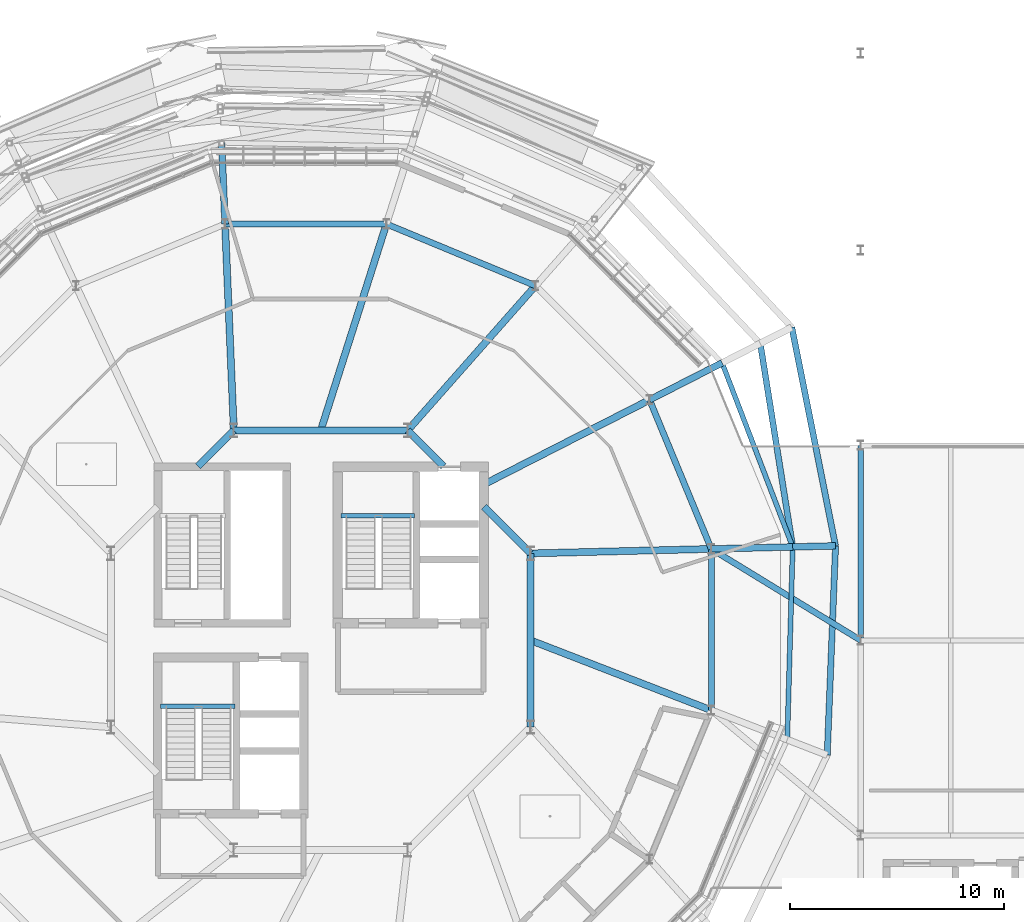
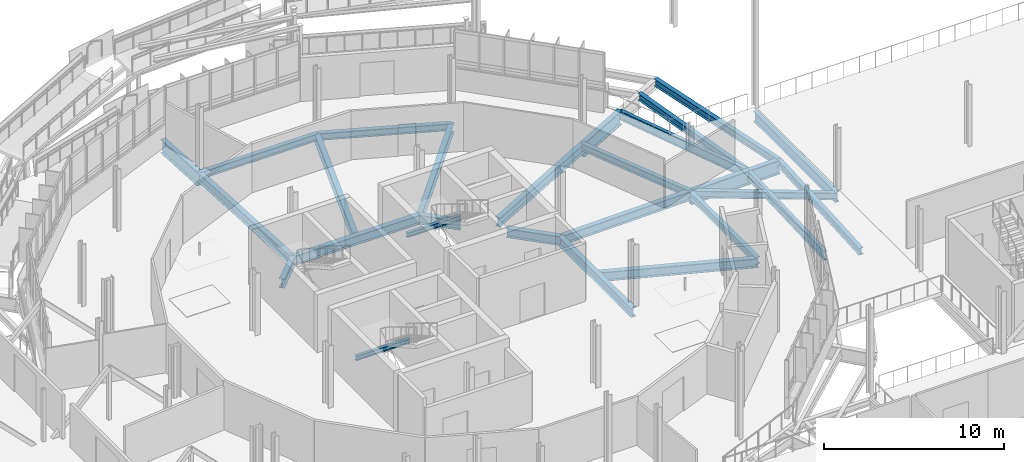
# One storey, part 47 of 107: 28 beams.
"""IFC4 building model written with IfcOpenShell, lengths in metres."""

from ifc_helpers import new_model, si_unit, derived_unit, direction, frame, origin, origin_2d, place, context, subcontext, project, spatial, i_section, extrude, material, material_profile, profile_set, type_object, element, save


model = new_model("IFC4")

# Units and contexts
model_context = context("Model", 3, precision=1e-05, world=origin(), true_north=direction((0.0, 1.0)))
body_context = subcontext(model_context, "Body", "Model", "MODEL_VIEW")
ifc_project = project(units=[si_unit("LENGTHUNIT", "METRE"), si_unit("AREAUNIT", "SQUARE_METRE"), si_unit("VOLUMEUNIT", "CUBIC_METRE"), si_unit("PLANEANGLEUNIT", "RADIAN"), si_unit("MASSUNIT", "GRAM", prefix="KILO"), derived_unit("THERMALTRANSMITTANCEUNIT", [(si_unit("MASSUNIT", "GRAM", prefix="KILO"), 1), (si_unit("TIMEUNIT", "SECOND"), -3), (si_unit("THERMODYNAMICTEMPERATUREUNIT", "KELVIN"), -1)])], contexts=[model_context])

# Site, building, storey
site_placement = place(None, origin())
site = spatial("IfcSite", under=ifc_project, at=site_placement, CompositionType="ELEMENT")
building_placement = place(site_placement, origin())
building = spatial("IfcBuilding", under=site, at=building_placement, Name="Makaiwela Harbour Ferry Terminal", CompositionType="ELEMENT")
storey_placement = place(building_placement, frame((0.0, 0.0, 9.60009765625)))
storey = spatial("IfcBuildingStorey", under=building, at=storey_placement, Name="L02", CompositionType="ELEMENT", Elevation=9.60009765625)

# Beams
ifc_material = material(Name="Steel ASTM A992 Grade 50", Category="steel")
ifc_material_profile_1 = material_profile(ifc_material, i_section(OverallWidth=0.280029296875, OverallDepth=0.462890625, WebThickness=0.0107421875, FlangeThickness=0.017333984375, at=origin_2d()), Name="W18X76")
ifc_profile_set_1 = profile_set([ifc_material_profile_1], Name="Steel ASTM A992 Grade 50")
beam_type_1 = type_object("IfcBeamType", Name="STR-BM-W18X76", PredefinedType="BEAM", material=ifc_profile_set_1)
beam_1_placement = place(storey_placement, frame((59.827880859375, 71.959228515625, -0.49169921875), z_axis=(-0.157406457436, 0.987533901776, 0.0), x_axis=(-0.987533901776, -0.157406457436, 0.0)))
element("IfcBeam", 1, at=beam_1_placement, inside=storey, type_object=beam_type_1, Name="Drum stage2 tie girder 199", PredefinedType="BEAM", context=body_context, shape_type="SweptSolid", body=[
    extrude(i_section(OverallWidth=0.280029296875, OverallDepth=0.462890625, WebThickness=0.0107421875, FlangeThickness=0.017333984375, at=origin_2d()), origin(), (0.0, 0.0, 1.0), 9.619384765625),
])
beam_2_placement = place(storey_placement, frame((56.029296875, 71.865234375, -0.49169921875), z_axis=(0.852995171969, -0.521918802686, 0.0), x_axis=(0.521918802686, 0.852995171969, 0.0)))
element("IfcBeam", 2, at=beam_2_placement, inside=storey, type_object=beam_type_1, Name="Neck tie beam 237", PredefinedType="BEAM", context=body_context, shape_type="SweptSolid", body=[
    extrude(i_section(OverallWidth=0.280029296875, OverallDepth=0.462890625, WebThickness=0.0107421875, FlangeThickness=0.017333984375, at=origin_2d()), origin(), (0.0, 0.0, 1.0), 8.172119140625),
])
ifc_material_profile_2 = material_profile(ifc_material, i_section(OverallWidth=0.324951171875, OverallDepth=0.615966796875, WebThickness=0.013916015625, FlangeThickness=0.021484375, at=origin_2d()), Name="W24X117")
ifc_profile_set_2 = profile_set([ifc_material_profile_2], Name="Steel ASTM A992 Grade 50")
beam_type_2 = type_object("IfcBeamType", Name="STR-GRD-W24X117", PredefinedType="USERDEFINED", material=ifc_profile_set_2)
beam_3_placement = place(storey_placement, frame((47.593017578125, 71.656494140625, -0.568115234375), z_axis=(-0.707106781187, 0.707106781187, 0.0), x_axis=(-0.707106781187, -0.707106781187, 0.0)))
element("IfcBeam", 3, at=beam_3_placement, inside=storey, type_object=beam_type_2, Name="Drum inner ring girder 121", ObjectType="GIRDER", PredefinedType="USERDEFINED", context=body_context, shape_type="SweptSolid", body=[
    extrude(i_section(OverallWidth=0.324951171875, OverallDepth=0.615966796875, WebThickness=0.013916015625, FlangeThickness=0.021484375, at=origin_2d()), origin(), (0.0, 0.0, 1.0), 3.0732421875),
])
beam_4_placement = place(storey_placement, frame((43.529541015625, 75.719970703125, -0.568115234375), z_axis=(-0.707106781187, 0.707106781187, 0.0), x_axis=(-0.707106781187, -0.707106781187, 0.0)))
element("IfcBeam", 4, at=beam_4_placement, inside=storey, type_object=beam_type_2, Name="Drum inner ring girder 122", ObjectType="GIRDER", PredefinedType="USERDEFINED", context=body_context, shape_type="SweptSolid", body=[
    extrude(i_section(OverallWidth=0.324951171875, OverallDepth=0.615966796875, WebThickness=0.013916015625, FlangeThickness=0.021484375, at=origin_2d()), origin(), (0.0, 0.0, 1.0), 2.3662109375),
])
beam_5_placement = place(storey_placement, frame((41.8564453125, 77.39306640625, -0.568115234375), z_axis=(-1.0, 0.0, 0.0), x_axis=(0.0, -1.0, 0.0)))
element("IfcBeam", 5, at=beam_5_placement, inside=storey, type_object=beam_type_2, Name="Drum inner ring girder 123", ObjectType="GIRDER", PredefinedType="USERDEFINED", context=body_context, shape_type="SweptSolid", body=[
    extrude(i_section(OverallWidth=0.324951171875, OverallDepth=0.615966796875, WebThickness=0.013916015625, FlangeThickness=0.021484375, at=origin_2d()), origin(), (0.0, 0.0, 1.0), 8.11279296875),
])
beam_6_placement = place(storey_placement, frame((33.74365234375, 77.39306640625, -0.568115234375), z_axis=(-0.707106781187, -0.707106781187, 0.0), x_axis=(0.707106781187, -0.707106781187, 0.0)))
element("IfcBeam", 6, at=beam_6_placement, inside=storey, type_object=beam_type_2, Name="Drum inner ring girder 124", ObjectType="GIRDER", PredefinedType="USERDEFINED", context=body_context, shape_type="SweptSolid", body=[
    extrude(i_section(OverallWidth=0.324951171875, OverallDepth=0.615966796875, WebThickness=0.013916015625, FlangeThickness=0.021484375, at=origin_2d()), origin(), (0.0, 0.0, 1.0), 2.3662109375),
])
beam_7_placement = place(storey_placement, frame((47.593017578125, 63.543701171875, -0.568115234375), z_axis=(0.0, 1.0, 0.0), x_axis=(-1.0, 0.0, 0.0)))
element("IfcBeam", 7, at=beam_7_placement, inside=storey, type_object=beam_type_2, Name="Drum inner ring girder 131", ObjectType="GIRDER", PredefinedType="USERDEFINED", context=body_context, shape_type="SweptSolid", body=[
    extrude(i_section(OverallWidth=0.324951171875, OverallDepth=0.615966796875, WebThickness=0.013916015625, FlangeThickness=0.021484375, at=origin_2d()), origin(), (0.0, 0.0, 1.0), 8.11279296875),
])
beam_8_placement = place(storey_placement, frame((47.593017578125, 71.656494140625, -0.568115234375), z_axis=(0.999694028426, 0.024735592369, 0.0), x_axis=(-0.024735592369, 0.999694028426, 0.0)))
element("IfcBeam", 8, at=beam_8_placement, inside=storey, type_object=beam_type_2, Name="Drum radial girder 148", ObjectType="GIRDER", PredefinedType="USERDEFINED", context=body_context, shape_type="SweptSolid", body=[
    extrude(i_section(OverallWidth=0.324951171875, OverallDepth=0.615966796875, WebThickness=0.013916015625, FlangeThickness=0.021484375, at=origin_2d()), origin(), (0.0, 0.0, 1.0), 8.43896484375),
])
beam_9_placement = place(storey_placement, frame((45.43994140625, 74.8896484375, -0.568115234375), z_axis=(0.890740656369, 0.454511917436, 0.0), x_axis=(-0.454511917436, 0.890740656369, 0.0)))
element("IfcBeam", 9, at=beam_9_placement, inside=storey, type_object=beam_type_2, Name="Drum radial girder 151", ObjectType="GIRDER", PredefinedType="USERDEFINED", context=body_context, shape_type="SweptSolid", body=[
    extrude(i_section(OverallWidth=0.324951171875, OverallDepth=0.615966796875, WebThickness=0.013916015625, FlangeThickness=0.021484375, at=origin_2d()), origin(), (0.0, 0.0, 1.0), 8.65283203125),
])
beam_10_placement = place(storey_placement, frame((41.8564453125, 77.39306640625, -0.568115234375), z_axis=(0.662014887938, 0.749490685832, 0.0), x_axis=(-0.749490685832, 0.662014887938, 0.0)))
element("IfcBeam", 10, at=beam_10_placement, inside=storey, type_object=beam_type_2, Name="Drum radial girder 155", ObjectType="GIRDER", PredefinedType="USERDEFINED", context=body_context, shape_type="SweptSolid", body=[
    extrude(i_section(OverallWidth=0.324951171875, OverallDepth=0.615966796875, WebThickness=0.013916015625, FlangeThickness=0.021484375, at=origin_2d()), origin(), (0.0, 0.0, 1.0), 9.011962890625),
])
beam_11_placement = place(storey_placement, frame((37.800048828125, 77.39306640625, -0.568115234375), z_axis=(0.303123932236, 0.952951143399, 0.0), x_axis=(-0.952951143399, 0.303123932236, 0.0)))
element("IfcBeam", 11, at=beam_11_placement, inside=storey, type_object=beam_type_2, Name="Drum radial girder 159", ObjectType="GIRDER", PredefinedType="USERDEFINED", context=body_context, shape_type="SweptSolid", body=[
    extrude(i_section(OverallWidth=0.324951171875, OverallDepth=0.615966796875, WebThickness=0.013916015625, FlangeThickness=0.021484375, at=origin_2d()), origin(), (0.0, 0.0, 1.0), 10.112060546875),
])
beam_12_placement = place(storey_placement, frame((33.74365234375, 77.39306640625, -0.568115234375), z_axis=(-0.042399132515, 0.999100752458, 0.0), x_axis=(-0.999100752458, -0.042399132515, 0.0)))
element("IfcBeam", 12, at=beam_12_placement, inside=storey, type_object=beam_type_2, Name="Drum radial girder 163", ObjectType="GIRDER", PredefinedType="USERDEFINED", context=body_context, shape_type="SweptSolid", body=[
    extrude(i_section(OverallWidth=0.324951171875, OverallDepth=0.615966796875, WebThickness=0.013916015625, FlangeThickness=0.021484375, at=origin_2d()), origin(), (0.0, 0.0, 1.0), 9.64501953125),
])
beam_13_placement = place(storey_placement, frame((47.593017578125, 67.60009765625, -0.568115234375), z_axis=(0.932578355868, -0.360967602655, 0.0), x_axis=(0.360967602655, 0.932578355868, 0.0)))
element("IfcBeam", 13, at=beam_13_placement, inside=storey, type_object=beam_type_2, Name="Drum radial girder 195", ObjectType="GIRDER", PredefinedType="USERDEFINED", context=body_context, shape_type="SweptSolid", body=[
    extrude(i_section(OverallWidth=0.324951171875, OverallDepth=0.615966796875, WebThickness=0.013916015625, FlangeThickness=0.021484375, at=origin_2d()), origin(), (0.0, 0.0, 1.0), 9.046142578125),
])
ifc_material_profile_3 = material_profile(ifc_material, i_section(OverallWidth=0.22900390625, OverallDepth=0.612060546875, WebThickness=0.011962890625, FlangeThickness=0.01953125, at=origin_2d()), Name="W24X84")
ifc_profile_set_3 = profile_set([ifc_material_profile_3], Name="Steel ASTM A992 Grade 50")
beam_type_3 = type_object("IfcBeamType", Name="STR-GRD-W24X84", PredefinedType="USERDEFINED", material=ifc_profile_set_3)
beam_14_placement = place(storey_placement, frame((59.827880859375, 71.959228515625, -0.566162109375), z_axis=(-0.358191255304, 0.933648233878, 0.0), x_axis=(-0.933648233878, -0.358191255304, 0.0)))
element("IfcBeam", 14, at=beam_14_placement, inside=storey, type_object=beam_type_3, Name="Drum overhang tie girder 198", ObjectType="GIRDER", PredefinedType="USERDEFINED", context=body_context, shape_type="SweptSolid", body=[
    extrude(i_section(OverallWidth=0.22900390625, OverallDepth=0.612060546875, WebThickness=0.011962890625, FlangeThickness=0.01953125, at=origin_2d()), origin(), (0.0, 0.0, 1.0), 9.200927734375),
])
beam_15_placement = place(storey_placement, frame((59.572998046875, 62.963134765625, -0.566162109375), z_axis=(0.028321244668, 0.999598873099, 0.0), x_axis=(-0.999598873099, 0.028321244668, 0.0)))
element("IfcBeam", 15, at=beam_15_placement, inside=storey, type_object=beam_type_3, Name="Drum overhang tie girder 222", ObjectType="GIRDER", PredefinedType="USERDEFINED", context=body_context, shape_type="SweptSolid", body=[
    extrude(i_section(OverallWidth=0.22900390625, OverallDepth=0.612060546875, WebThickness=0.011962890625, FlangeThickness=0.01953125, at=origin_2d()), origin(), (0.0, 0.0, 1.0), 8.999755859375),
])
ifc_material_profile_4 = material_profile(ifc_material, i_section(OverallWidth=0.256103515625, OverallDepth=0.693115234375, WebThickness=0.014404296875, FlangeThickness=0.023681640625, at=origin_2d()), Name="W27X114")
ifc_profile_set_4 = profile_set([ifc_material_profile_4], Name="Steel ASTM A992 Grade 50")
beam_type_4 = type_object("IfcBeamType", Name="STR-GRD-W27X114", PredefinedType="USERDEFINED", material=ifc_profile_set_4)
beam_16_placement = place(storey_placement, frame((63.0, 67.60009765625, -0.606689453125), z_axis=(0.0, 1.0, 0.0), x_axis=(-1.0, 0.0, 0.0)))
element("IfcBeam", 16, at=beam_16_placement, inside=storey, type_object=beam_type_4, Name="Primary Y girder 1363", ObjectType="GIRDER", PredefinedType="USERDEFINED", context=body_context, shape_type="SweptSolid", body=[
    extrude(i_section(OverallWidth=0.256103515625, OverallDepth=0.693115234375, WebThickness=0.014404296875, FlangeThickness=0.023681640625, at=origin_2d()), origin(), (0.0, 0.0, 1.0), 9.099853515625),
])
ifc_material_profile_5 = material_profile(ifc_material, i_section(OverallWidth=0.31005859375, OverallDepth=0.949951171875, WebThickness=0.0244140625, FlangeThickness=0.0439453125, at=origin_2d()), Name="W36X256")
ifc_profile_set_5 = profile_set([ifc_material_profile_5], Name="Steel ASTM A992 Grade 50")
beam_type_5 = type_object("IfcBeamType", Name="STR-GRD-W36X256", PredefinedType="USERDEFINED", material=ifc_profile_set_5)
beam_17_placement = place(storey_placement, frame((56.029296875, 71.865234375, -0.735107421875), z_axis=(0.99969399486, 0.024736948906, 0.0), x_axis=(-0.024736948906, 0.99969399486, 0.0)))
element("IfcBeam", 17, at=beam_17_placement, inside=storey, type_object=beam_type_5, Name="Drum radial overhang 149", ObjectType="GIRDER", PredefinedType="USERDEFINED", context=body_context, shape_type="SweptSolid", body=[
    extrude(i_section(OverallWidth=0.31005859375, OverallDepth=0.949951171875, WebThickness=0.0244140625, FlangeThickness=0.0439453125, at=origin_2d()), origin(), (0.0, 0.0, 1.0), 3.7998046875),
])
beam_18_placement = place(storey_placement, frame((59.827880859375, 71.959228515625, -0.735107421875), z_axis=(0.99969296052, 0.024778714406, 0.0), x_axis=(-0.024778714406, 0.99969296052, 0.0)))
element("IfcBeam", 18, at=beam_18_placement, inside=storey, type_object=beam_type_5, Name="Drum overhang radial girder 150", ObjectType="GIRDER", PredefinedType="USERDEFINED", context=body_context, shape_type="SweptSolid", body=[
    extrude(i_section(OverallWidth=0.31005859375, OverallDepth=0.949951171875, WebThickness=0.0244140625, FlangeThickness=0.0439453125, at=origin_2d()), origin(), (0.0, 0.0, 1.0), 2.000244140625),
])
for number, where, z_axis, x_axis, name in (
    (19, (53.1474609375, 78.822509765625, -0.735107421875), (0.890748068291, 0.454497391452, 0.0), (-0.454497391452, 0.890748068291, 0.0), "Drum radial overhang 152"),
    (20, (33.334716796875, 87.029296875, -0.735107421875), (-0.042405550922, 0.999100480057, 0.0), (-0.999100480057, -0.042405550922, 0.0), "Drum radial overhang 164"),
):
    element("IfcBeam", number, at=place(storey_placement, frame(where, z_axis=z_axis, x_axis=x_axis)), inside=storey, type_object=beam_type_5, Name=name, ObjectType="GIRDER", PredefinedType="USERDEFINED", context=body_context, shape_type="SweptSolid", body=[
        extrude(i_section(OverallWidth=0.31005859375, OverallDepth=0.949951171875, WebThickness=0.0244140625, FlangeThickness=0.0439453125, at=origin_2d()), origin(), (0.0, 0.0, 1.0), 3.7998046875),
    ])
ifc_material_profile_6 = material_profile(ifc_material, i_section(OverallWidth=0.205078125, OverallDepth=0.31005859375, WebThickness=0.009521484375, FlangeThickness=0.016357421875, at=origin_2d()), Name="W12X50")
ifc_profile_set_6 = profile_set([ifc_material_profile_6], Name="Steel ASTM A992 Grade 50")
beam_type_6 = type_object("IfcBeamType", Name="STR-LNT-W12X50", PredefinedType="LINTEL", material=ifc_profile_set_6)
beam_19_placement = place(storey_placement, frame((38.75, 73.419921875, 1.794921875), z_axis=(1.0, 0.0, 0.0), x_axis=(0.0, 1.0, 0.0)))
element("IfcBeam", 21, at=beam_19_placement, inside=storey, type_object=beam_type_6, Name="Stair Landing Beam ST-01-L02", PredefinedType="LINTEL", context=body_context, shape_type="SweptSolid", body=[
    extrude(i_section(OverallWidth=0.205078125, OverallDepth=0.31005859375, WebThickness=0.009521484375, FlangeThickness=0.016357421875, at=origin_2d()), origin(), (0.0, 0.0, 1.0), 3.43701171875),
])
beam_20_placement = place(storey_placement, frame((30.324951171875, 64.52001953125, 1.794921875), z_axis=(1.0, 0.0, 0.0), x_axis=(0.0, 1.0, 0.0)))
element("IfcBeam", 22, at=beam_20_placement, inside=storey, type_object=beam_type_6, Name="Stair Landing Beam ST-02-L02", PredefinedType="LINTEL", context=body_context, shape_type="SweptSolid", body=[
    extrude(i_section(OverallWidth=0.205078125, OverallDepth=0.31005859375, WebThickness=0.009521484375, FlangeThickness=0.016357421875, at=origin_2d()), origin(), (0.0, 0.0, 1.0), 3.462158203125),
])
ifc_material_profile_7 = material_profile(ifc_material, i_section(OverallWidth=0.283935546875, OverallDepth=0.47607421875, WebThickness=0.014892578125, FlangeThickness=0.02392578125, at=origin_2d()), Name="W18X106")
ifc_profile_set_7 = profile_set([ifc_material_profile_7], Name="Steel ASTM A992 Grade 50")
beam_type_7 = type_object("IfcBeamType", Name="STR-SPN-W18X106", PredefinedType="SPANDREL", material=ifc_profile_set_7)
for number, where, z_axis, x_axis, name in (
    (23, (56.029296875, 71.865234375, -0.498046875), (-0.382687752376, 0.923877743092, 0.0), (-0.923877743092, -0.382687752376, 0.0), "Drum column ring girder 132"),
    (24, (47.822509765625, 84.1474609375, -0.498046875), (-0.923877743092, 0.382687752376, 0.0), (-0.382687752376, -0.923877743092, 0.0), "Drum column ring girder 134"),
    (25, (40.865234375, 87.029296875, -0.498046875), (-1.0, 0.0, 0.0), (0.0, -1.0, 0.0), "Drum column ring girder 135"),
    (26, (56.029296875, 64.334716796875, -0.498046875), (0.0, 1.0, 0.0), (-1.0, 0.0, 0.0), "Drum column ring girder 147"),
):
    element("IfcBeam", number, at=place(storey_placement, frame(where, z_axis=z_axis, x_axis=x_axis)), inside=storey, type_object=beam_type_7, Name=name, PredefinedType="SPANDREL", context=body_context, shape_type="SweptSolid", body=[
        extrude(i_section(OverallWidth=0.283935546875, OverallDepth=0.47607421875, WebThickness=0.014892578125, FlangeThickness=0.02392578125, at=origin_2d()), origin(), (0.0, 0.0, 1.0), 7.530517578125),
    ])
beam_21_placement = place(storey_placement, frame((61.827392578125, 72.0087890625, -0.498046875), z_axis=(-0.196486216307, 0.980506586822, 0.0), x_axis=(-0.980506586822, -0.196486216307, 0.0)))
element("IfcBeam", 27, at=beam_21_placement, inside=storey, type_object=beam_type_7, Name="Drum perimeter spandrel 223", PredefinedType="SPANDREL", context=body_context, shape_type="SweptSolid", body=[
    extrude(i_section(OverallWidth=0.283935546875, OverallDepth=0.47607421875, WebThickness=0.014892578125, FlangeThickness=0.02392578125, at=origin_2d()), origin(), (0.0, 0.0, 1.0), 10.402587890625),
])
beam_22_placement = place(storey_placement, frame((61.438232421875, 62.2412109375, -0.498046875), z_axis=(0.039810446821, 0.999207249936, 0.0), x_axis=(-0.999207249936, 0.039810446821, 0.0)))
element("IfcBeam", 28, at=beam_22_placement, inside=storey, type_object=beam_type_7, Name="Drum perimeter spandrel 235", PredefinedType="SPANDREL", context=body_context, shape_type="SweptSolid", body=[
    extrude(i_section(OverallWidth=0.283935546875, OverallDepth=0.47607421875, WebThickness=0.014892578125, FlangeThickness=0.02392578125, at=origin_2d()), origin(), (0.0, 0.0, 1.0), 9.775390625),
])

save(model, "model.ifc")
